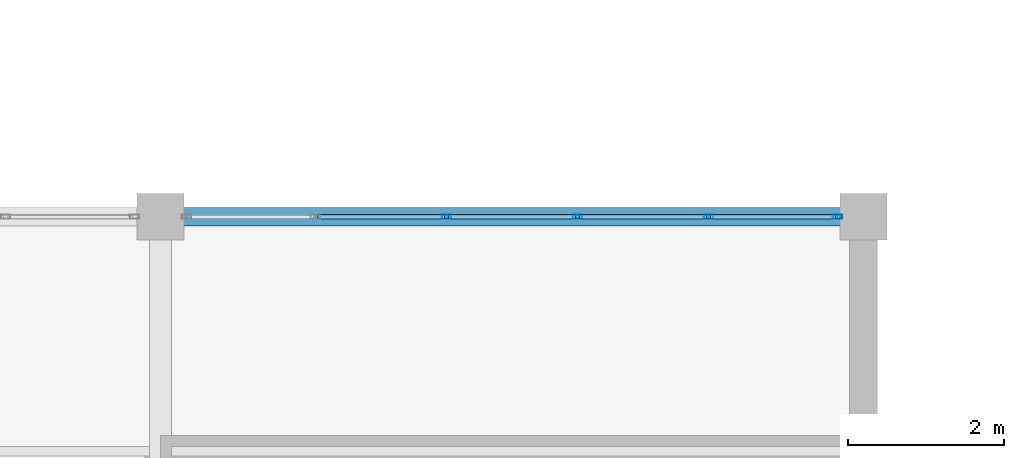
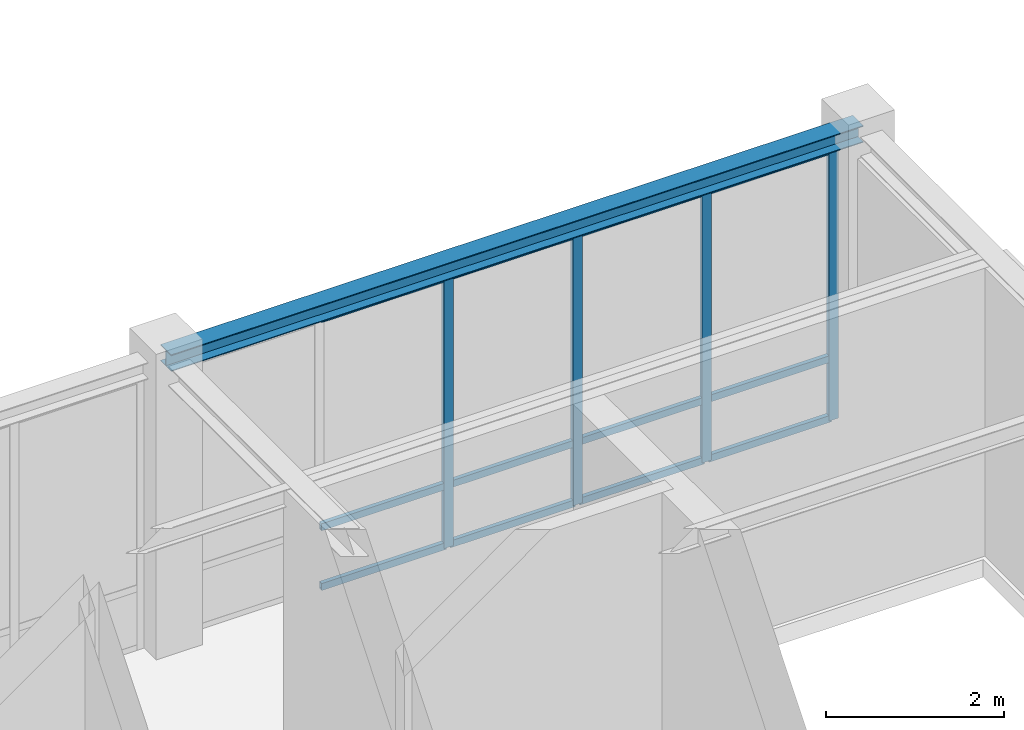
# One storey, part 49 of 97: 16 members, 1 beam, 1 element without a shape of its own.
"""IFC4 building model written with IfcOpenShell, lengths in metres."""

from ifc_helpers import new_model, si_unit, direction, frame, origin, origin_2d, place, context, subcontext, project, spatial, hollow_rectangle, i_section, extrude, material, material_profile, profile_set, type_object, element, aggregate, save


model = new_model("IFC4")

# Units and contexts
model_context = context("Model", 3, precision=1e-05, world=origin(), true_north=direction((0.0, 1.0)))
body_context = subcontext(model_context, "Body", "Model", "MODEL_VIEW")
ifc_project = project(units=[si_unit("LENGTHUNIT", "METRE"), si_unit("AREAUNIT", "SQUARE_METRE"), si_unit("VOLUMEUNIT", "CUBIC_METRE"), si_unit("PLANEANGLEUNIT", "RADIAN"), si_unit("MASSUNIT", "GRAM", prefix="KILO")], contexts=[model_context])

# Site, building, storey
site_placement = place(None, origin())
site = spatial("IfcSite", under=ifc_project, at=site_placement, CompositionType="ELEMENT")
building_placement = place(site_placement, origin())
building = spatial("IfcBuilding", under=site, at=building_placement, Name="Lykobir Media Centre", CompositionType="ELEMENT")
storey_placement = place(building_placement, frame((0.0, 0.0, 23.39990234375)))
storey = spatial("IfcBuildingStorey", under=building, at=storey_placement, Name="L05", CompositionType="ELEMENT", Elevation=23.39990234375)

# Curtain wall, members
ifc_material_1 = material(Name="Anodized Aluminium AW-6060", Category="aluminium")
curtain_wall_type = type_object("IfcCurtainWallType", Name="CW-COURT-B", PredefinedType="NOTDEFINED", material=ifc_material_1)
curtain_wall_placement = place(storey_placement, origin())
curtain_wall = element("IfcCurtainWall", 1, at=curtain_wall_placement, inside=storey, type_object=curtain_wall_type, Name="Curtain wall CW2-L05-0189", PredefinedType="NOTDEFINED")
ifc_material_profile_1 = material_profile(ifc_material_1, hollow_rectangle(XDim=0.054931640625, YDim=0.1201171875, WallThickness=0.003173828125, at=origin_2d()), Name="ALU MULLION 55x120")
ifc_profile_set_1 = profile_set([ifc_material_profile_1], Name="Anodized Aluminium AW-6060")
member_type_1 = type_object("IfcMemberType", Name="CWM-120", PredefinedType="MULLION", material=ifc_profile_set_1)
member_1_placement = place(storey_placement, frame((120.660888671875, 18.0, 0.0), z_axis=(0.0, 0.0, 1.0), x_axis=(0.0, 1.0, 0.0)))
member_1 = element("IfcMember", 2, at=member_1_placement, type_object=member_type_1, Name="CW2-L05-0189 mullion 3", PredefinedType="MULLION", context=body_context, shape_type="SweptSolid", body=[
    extrude(hollow_rectangle(XDim=0.054931640625, YDim=0.1201171875, WallThickness=0.003173828125, at=origin_2d()), origin(), (0.0, 0.0, 1.0), 3.735107421875),
])
member_2_placement = place(storey_placement, frame((122.339111328125, 18.0, 0.0), z_axis=(0.0, 0.0, 1.0), x_axis=(0.0, 1.0, 0.0)))
member_2 = element("IfcMember", 3, at=member_2_placement, type_object=member_type_1, Name="CW2-L05-0189 mullion 4", PredefinedType="MULLION", context=body_context, shape_type="SweptSolid", body=[
    extrude(hollow_rectangle(XDim=0.054931640625, YDim=0.1201171875, WallThickness=0.003173828125, at=origin_2d()), origin(), (0.0, 0.0, 1.0), 3.735107421875),
])
member_3_placement = place(storey_placement, frame((124.01708984375, 18.0, 0.0), z_axis=(0.0, 0.0, 1.0), x_axis=(0.0, 1.0, 0.0)))
member_3 = element("IfcMember", 4, at=member_3_placement, type_object=member_type_1, Name="CW2-L05-0189 mullion 5", PredefinedType="MULLION", context=body_context, shape_type="SweptSolid", body=[
    extrude(hollow_rectangle(XDim=0.054931640625, YDim=0.1201171875, WallThickness=0.003173828125, at=origin_2d()), origin(), (0.0, 0.0, 1.0), 3.735107421875),
])
member_4_placement = place(storey_placement, frame((125.66748046875, 18.0, 0.0), z_axis=(0.0, 0.0, 1.0), x_axis=(0.0, 1.0, 0.0)))
member_4 = element("IfcMember", 5, at=member_4_placement, type_object=member_type_1, Name="CW2-L05-0189 mullion 6", PredefinedType="MULLION", context=body_context, shape_type="SweptSolid", body=[
    extrude(hollow_rectangle(XDim=0.054931640625, YDim=0.1201171875, WallThickness=0.003173828125, at=origin_2d()), origin(), (0.0, 0.0, 1.0), 3.735107421875),
])
ifc_material_profile_2 = material_profile(ifc_material_1, hollow_rectangle(XDim=0.054931640625, YDim=0.094970703125, WallThickness=0.0029296875, at=origin_2d()), Name="ALU TRANSOM 55x95")
ifc_profile_set_2 = profile_set([ifc_material_profile_2], Name="Anodized Aluminium AW-6060")
member_type_2 = type_object("IfcMemberType", Name="CWT-095", PredefinedType="USERDEFINED", material=ifc_profile_set_2)
member_5_placement = place(storey_placement, frame((119.010498046875, 18.0, 0.027587890625), z_axis=(1.0, 0.0, 0.0), x_axis=(0.0, 1.0, 0.0)))
member_5 = element("IfcMember", 6, at=member_5_placement, type_object=member_type_2, Name="CW2-L05-0189 transom 2.1", ObjectType="TRANSOM", PredefinedType="USERDEFINED", context=body_context, shape_type="SweptSolid", body=[
    extrude(hollow_rectangle(XDim=0.054931640625, YDim=0.094970703125, WallThickness=0.0029296875, at=origin_2d()), origin(), (0.0, 0.0, 1.0), 1.623046875),
])
member_6_placement = place(storey_placement, frame((119.010498046875, 18.0, 0.85009765625), z_axis=(1.0, 0.0, 0.0), x_axis=(0.0, 1.0, 0.0)))
member_6 = element("IfcMember", 7, at=member_6_placement, type_object=member_type_2, Name="CW2-L05-0189 transom 2.2", ObjectType="TRANSOM", PredefinedType="USERDEFINED", context=body_context, shape_type="SweptSolid", body=[
    extrude(hollow_rectangle(XDim=0.054931640625, YDim=0.094970703125, WallThickness=0.0029296875, at=origin_2d()), origin(), (0.0, 0.0, 1.0), 1.623046875),
])
member_7_placement = place(storey_placement, frame((119.010498046875, 18.0, 3.70751953125), z_axis=(1.0, 0.0, 0.0), x_axis=(0.0, 1.0, 0.0)))
member_7 = element("IfcMember", 8, at=member_7_placement, type_object=member_type_2, Name="CW2-L05-0189 transom 2.3", ObjectType="TRANSOM", PredefinedType="USERDEFINED", context=body_context, shape_type="SweptSolid", body=[
    extrude(hollow_rectangle(XDim=0.054931640625, YDim=0.094970703125, WallThickness=0.0029296875, at=origin_2d()), origin(), (0.0, 0.0, 1.0), 1.623046875),
])
member_8_placement = place(storey_placement, frame((120.6884765625, 18.0, 0.027587890625), z_axis=(1.0, 0.0, 0.0), x_axis=(0.0, 1.0, 0.0)))
member_8 = element("IfcMember", 9, at=member_8_placement, type_object=member_type_2, Name="CW2-L05-0189 transom 3.1", ObjectType="TRANSOM", PredefinedType="USERDEFINED", context=body_context, shape_type="SweptSolid", body=[
    extrude(hollow_rectangle(XDim=0.054931640625, YDim=0.094970703125, WallThickness=0.0029296875, at=origin_2d()), origin(), (0.0, 0.0, 1.0), 1.623046875),
])
member_9_placement = place(storey_placement, frame((120.6884765625, 18.0, 0.85009765625), z_axis=(1.0, 0.0, 0.0), x_axis=(0.0, 1.0, 0.0)))
member_9 = element("IfcMember", 10, at=member_9_placement, type_object=member_type_2, Name="CW2-L05-0189 transom 3.2", ObjectType="TRANSOM", PredefinedType="USERDEFINED", context=body_context, shape_type="SweptSolid", body=[
    extrude(hollow_rectangle(XDim=0.054931640625, YDim=0.094970703125, WallThickness=0.0029296875, at=origin_2d()), origin(), (0.0, 0.0, 1.0), 1.623046875),
])
member_10_placement = place(storey_placement, frame((120.6884765625, 18.0, 3.70751953125), z_axis=(1.0, 0.0, 0.0), x_axis=(0.0, 1.0, 0.0)))
member_10 = element("IfcMember", 11, at=member_10_placement, type_object=member_type_2, Name="CW2-L05-0189 transom 3.3", ObjectType="TRANSOM", PredefinedType="USERDEFINED", context=body_context, shape_type="SweptSolid", body=[
    extrude(hollow_rectangle(XDim=0.054931640625, YDim=0.094970703125, WallThickness=0.0029296875, at=origin_2d()), origin(), (0.0, 0.0, 1.0), 1.623046875),
])
member_11_placement = place(storey_placement, frame((122.366455078125, 18.0, 0.027587890625), z_axis=(1.0, 0.0, 0.0), x_axis=(0.0, 1.0, 0.0)))
member_11 = element("IfcMember", 12, at=member_11_placement, type_object=member_type_2, Name="CW2-L05-0189 transom 4.1", ObjectType="TRANSOM", PredefinedType="USERDEFINED", context=body_context, shape_type="SweptSolid", body=[
    extrude(hollow_rectangle(XDim=0.054931640625, YDim=0.094970703125, WallThickness=0.0029296875, at=origin_2d()), origin(), (0.0, 0.0, 1.0), 1.623046875),
])
member_12_placement = place(storey_placement, frame((122.366455078125, 18.0, 0.85009765625), z_axis=(1.0, 0.0, 0.0), x_axis=(0.0, 1.0, 0.0)))
member_12 = element("IfcMember", 13, at=member_12_placement, type_object=member_type_2, Name="CW2-L05-0189 transom 4.2", ObjectType="TRANSOM", PredefinedType="USERDEFINED", context=body_context, shape_type="SweptSolid", body=[
    extrude(hollow_rectangle(XDim=0.054931640625, YDim=0.094970703125, WallThickness=0.0029296875, at=origin_2d()), origin(), (0.0, 0.0, 1.0), 1.623046875),
])
member_13_placement = place(storey_placement, frame((122.366455078125, 18.0, 3.70751953125), z_axis=(1.0, 0.0, 0.0), x_axis=(0.0, 1.0, 0.0)))
member_13 = element("IfcMember", 14, at=member_13_placement, type_object=member_type_2, Name="CW2-L05-0189 transom 4.3", ObjectType="TRANSOM", PredefinedType="USERDEFINED", context=body_context, shape_type="SweptSolid", body=[
    extrude(hollow_rectangle(XDim=0.054931640625, YDim=0.094970703125, WallThickness=0.0029296875, at=origin_2d()), origin(), (0.0, 0.0, 1.0), 1.623046875),
])
member_14_placement = place(storey_placement, frame((124.04443359375, 18.0, 0.027587890625), z_axis=(1.0, 0.0, 0.0), x_axis=(0.0, 1.0, 0.0)))
member_14 = element("IfcMember", 15, at=member_14_placement, type_object=member_type_2, Name="CW2-L05-0189 transom 5.1", ObjectType="TRANSOM", PredefinedType="USERDEFINED", context=body_context, shape_type="SweptSolid", body=[
    extrude(hollow_rectangle(XDim=0.054931640625, YDim=0.094970703125, WallThickness=0.0029296875, at=origin_2d()), origin(), (0.0, 0.0, 1.0), 1.595458984375),
])
member_15_placement = place(storey_placement, frame((124.04443359375, 18.0, 0.85009765625), z_axis=(1.0, 0.0, 0.0), x_axis=(0.0, 1.0, 0.0)))
member_15 = element("IfcMember", 16, at=member_15_placement, type_object=member_type_2, Name="CW2-L05-0189 transom 5.2", ObjectType="TRANSOM", PredefinedType="USERDEFINED", context=body_context, shape_type="SweptSolid", body=[
    extrude(hollow_rectangle(XDim=0.054931640625, YDim=0.094970703125, WallThickness=0.0029296875, at=origin_2d()), origin(), (0.0, 0.0, 1.0), 1.595458984375),
])
member_16_placement = place(storey_placement, frame((124.04443359375, 18.0, 3.70751953125), z_axis=(1.0, 0.0, 0.0), x_axis=(0.0, 1.0, 0.0)))
member_16 = element("IfcMember", 17, at=member_16_placement, type_object=member_type_2, Name="CW2-L05-0189 transom 5.3", ObjectType="TRANSOM", PredefinedType="USERDEFINED", context=body_context, shape_type="SweptSolid", body=[
    extrude(hollow_rectangle(XDim=0.054931640625, YDim=0.094970703125, WallThickness=0.0029296875, at=origin_2d()), origin(), (0.0, 0.0, 1.0), 1.595458984375),
])
aggregate(curtain_wall, [member_1, member_2, member_3, member_4, member_5, member_6, member_7, member_8, member_9, member_10, member_11, member_12, member_13, member_14, member_15, member_16])

# Beam
ifc_material_2 = material(Name="Steel S355", Category="steel")
ifc_material_profile_3 = material_profile(ifc_material_2, i_section(OverallWidth=0.239990234375, OverallDepth=0.22998046875, WebThickness=0.007568359375, FlangeThickness=0.011962890625, at=origin_2d()), Name="HEA 240")
ifc_profile_set_3 = profile_set([ifc_material_profile_3], Name="Steel S355")
beam_type = type_object("IfcBeamType", Name="SP-HEA240", PredefinedType="SPANDREL", material=ifc_profile_set_3)
beam_placement = place(storey_placement, frame((117.0, 18.0, 3.864990234375), z_axis=(1.0, 0.0, 0.0), x_axis=(0.0, 1.0, 0.0)))
element("IfcBeam", 18, at=beam_placement, inside=storey, type_object=beam_type, Name="Beam BM-L05-1170-0180-1260-0180-2726", PredefinedType="SPANDREL", context=body_context, shape_type="SweptSolid", body=[
    extrude(i_section(OverallWidth=0.239990234375, OverallDepth=0.22998046875, WebThickness=0.007568359375, FlangeThickness=0.011962890625, at=origin_2d()), origin(), (0.0, 0.0, 1.0), 9.0),
])

save(model, "model.ifc")
